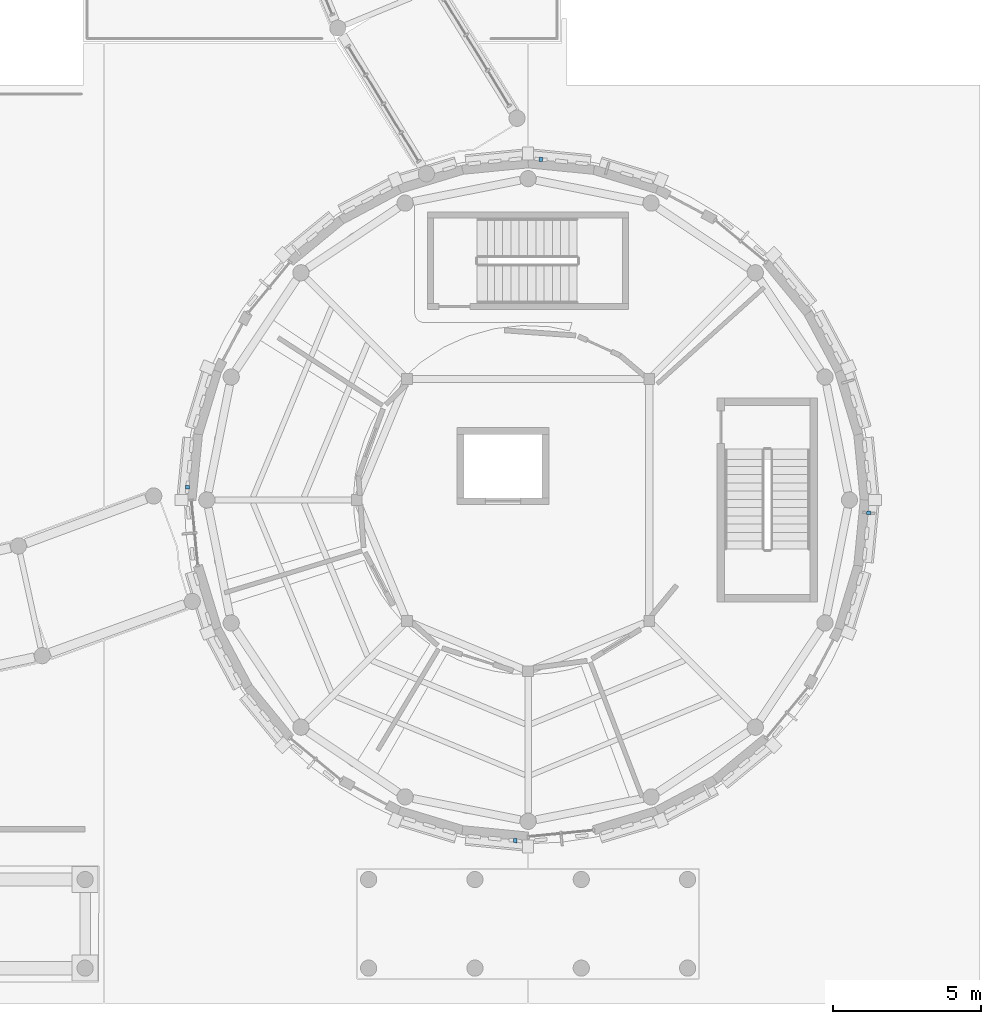
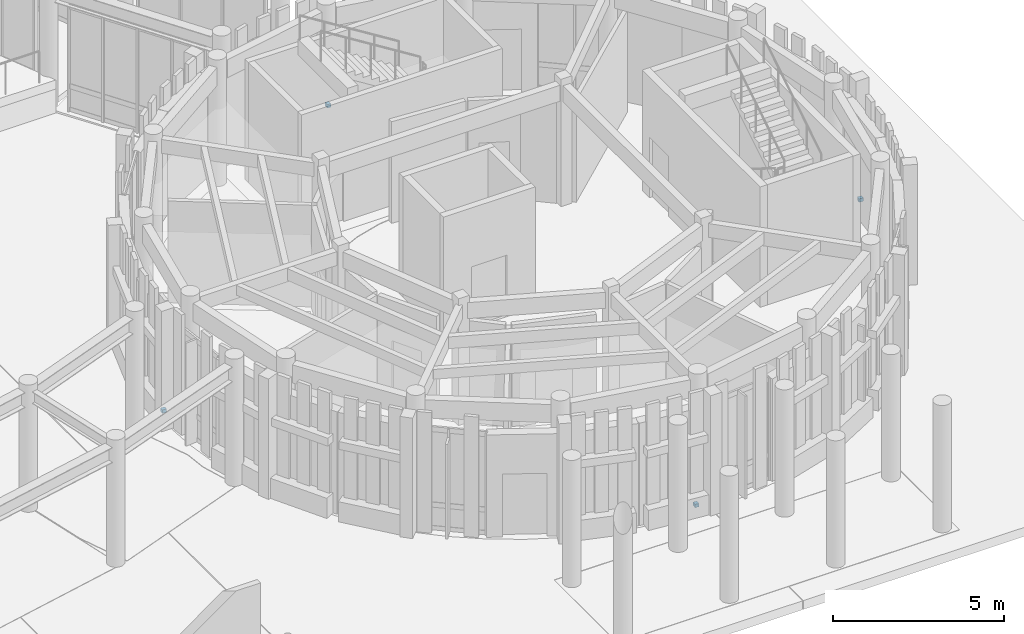
# One storey, part 64 of 94: 4 discrete accessories.
"""IFC4 building model written with IfcOpenShell, lengths in metres."""

from ifc_helpers import new_model, si_unit, direction, frame, origin, origin_2d, place, context, subcontext, project, spatial, rectangle, extrude, material, type_object, element, save


model = new_model("IFC4")

# Units and contexts
model_context = context("Model", 3, precision=1e-05, world=origin(), true_north=direction((0.0, 1.0)))
body_context = subcontext(model_context, "Body", "Model", "MODEL_VIEW")
ifc_project = project(units=[si_unit("LENGTHUNIT", "METRE"), si_unit("AREAUNIT", "SQUARE_METRE"), si_unit("VOLUMEUNIT", "CUBIC_METRE"), si_unit("PLANEANGLEUNIT", "RADIAN"), si_unit("MASSUNIT", "GRAM", prefix="KILO")], contexts=[model_context])

# Site, building, storey
site_placement = place(None, origin())
site = spatial("IfcSite", under=ifc_project, at=site_placement, CompositionType="ELEMENT")
building_placement = place(site_placement, origin())
building = spatial("IfcBuilding", under=site, at=building_placement, Name="Aldenvaro Health Centre", CompositionType="ELEMENT")
storey_placement = place(building_placement, origin())
storey = spatial("IfcBuildingStorey", under=building, at=storey_placement, Name="L00", CompositionType="ELEMENT", Elevation=0.0)

# Discrete accessories
ifc_material = material(Name="Stainless Steel AISI 316", Category="steel")
discrete_accessory_type = type_object("IfcDiscreteAccessoryType", Name="ACC-BRK-01", PredefinedType="BRACKET", material=ifc_material)
for number, where, z_axis, x_axis, name in (
    (1, (166.032958984375, 18.06494140625, 0.18994140625), (0.0, 0.0, 1.0), (-0.097997250052, -0.995186685493, 0.0), "D6 L00 stainless fin bracket 1"),
    (2, (154.06494140625, 6.967041015625, 0.18994140625), (0.0, 0.0, 1.0), (-0.995186685493, 0.097997250052, 0.0), "D6 L00 stainless fin bracket 9"),
    (3, (142.967041015625, 18.93505859375, 0.18994140625), (0.0, 0.0, 1.0), (0.097997250052, 0.995186685493, 0.0), "D6 L00 stainless fin bracket 17"),
    (4, (154.93505859375, 30.032958984375, 0.18994140625), (0.0, 0.0, 1.0), (0.995186685493, -0.097997250052, 0.0), "D6 L00 stainless fin bracket 25"),
):
    element("IfcDiscreteAccessory", number, at=place(storey_placement, frame(where, z_axis=z_axis, x_axis=x_axis)), inside=storey, type_object=discrete_accessory_type, Name=name, PredefinedType="BRACKET", context=body_context, shape_type="SweptSolid", body=[
        extrude(rectangle(XDim=0.1201171875, YDim=0.139892578125, at=origin_2d()), origin(), (0.0, 0.0, 1.0), 0.1201171875),
    ])

save(model, "model.ifc")
